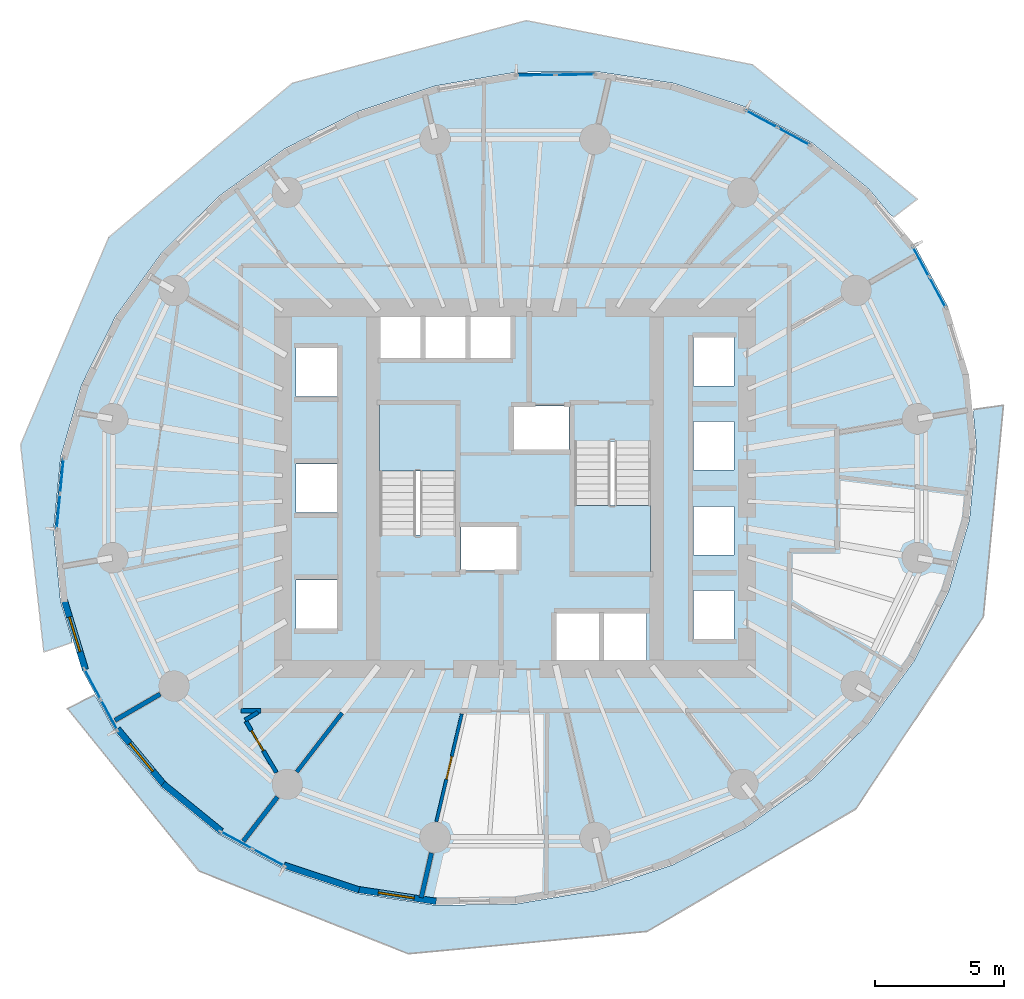
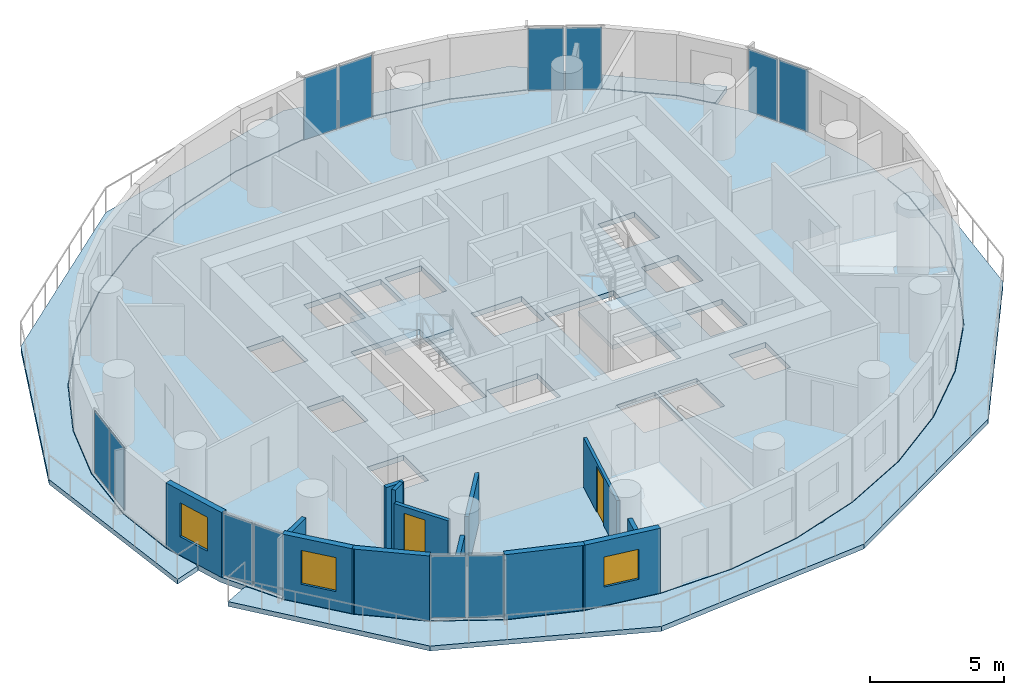
# One storey, part 6 of 14: 13 walls, 12 plates, 5 slabs, 3 windows, 2 doors, 5 openings, 8 elements without a shape of their own.
"""IFC4 building model written with IfcOpenShell, lengths in metres."""

from ifc_helpers import new_model, si_unit, direction, frame, frame_2d, origin, origin_2d, place, context, subcontext, project, spatial, polyline, rectangle, outline, extrude, material, layer, layer_set, type_object, element, fill, aggregate, save


model = new_model("IFC4")

# Units and contexts
model_context = context("Model", 3, precision=1e-05, world=origin(), true_north=direction((0.0, 1.0)))
body_context = subcontext(model_context, "Body", "Model", "MODEL_VIEW")
ifc_project = project(units=[si_unit("LENGTHUNIT", "METRE"), si_unit("AREAUNIT", "SQUARE_METRE"), si_unit("VOLUMEUNIT", "CUBIC_METRE"), si_unit("PLANEANGLEUNIT", "RADIAN"), si_unit("MASSUNIT", "GRAM", prefix="KILO")], contexts=[model_context])

# Site, building, storey
site_placement = place(None, origin())
site = spatial("IfcSite", under=ifc_project, at=site_placement, CompositionType="ELEMENT")
building_placement = place(site_placement, origin())
building = spatial("IfcBuilding", under=site, at=building_placement, Name="Veldorim Arch Residences", CompositionType="ELEMENT")
storey_placement = place(building_placement, frame((0.0, 0.0, 99.679931640625)))
storey = spatial("IfcBuildingStorey", under=building, at=storey_placement, Name="L29", CompositionType="ELEMENT", Elevation=99.679931640625)

# Slabs
ifc_material_1 = material(Name="Concrete C40/50", Category="concrete")
ifc_layer_1 = layer(ifc_material_1, 0.219970703125, Name="Planted Crescent Cantilever Balcony Slab 220")
ifc_layer_set_1 = layer_set([ifc_layer_1], Name="Concrete C40/50")
slab_type_1 = type_object("IfcSlabType", Name="Planted Crescent Cantilever Balcony Slab 220", PredefinedType="FLOOR", material=ifc_layer_set_1)
slab_1_placement = place(storey_placement, frame((0.0, 0.0, -0.219970703125)))
element("IfcSlab", 1, at=slab_1_placement, inside=storey, type_object=slab_type_1, Name="L29 planted crescent balcony slab A", PredefinedType="FLOOR", context=body_context, shape_type="SweptSolid", body=[
    extrude(outline(polyline([(46.537841796875, 34.610595703125), (45.7138671875, 35.598388671875), (43.5107421875, 37.387451171875), (40.9580078125, 38.76953125), (38.133056640625, 39.702880859375), (35.1220703125, 40.158935546875), (32.016357421875, 40.124267578125), (28.910400390625, 39.599609375), (25.898193359375, 38.601318359375), (24.527099609375, 37.902099609375), (24.356689453125, 37.854248046875), (24.228515625, 37.749755859375), (23.0712890625, 37.15966796875), (20.515625, 35.318115234375), (18.30859375, 33.132568359375), (16.517578125, 30.669677734375), (15.19677734375, 28.00390625), (14.38623046875, 25.21630859375), (14.111328125, 22.3916015625), (14.3798828125, 19.615478515625), (14.813232421875, 18.19189453125), (14.8212890625, 18.022216796875), (13.731689453125, 17.654296875), (12.83056640625, 25.695556640625), (16.251708984375, 33.730712890625), (23.368408203125, 39.70703125), (32.434326171875, 42.131591796875), (41.20703125, 40.41943359375), (47.590576171875, 35.210205078125), (46.677978515625, 34.51025390625), (46.537841796875, 34.610595703125)])), origin(), (0.0, 0.0, 1.0), 0.219970703125),
])
slab_2_placement = place(storey_placement, frame((0.0, 0.0, -0.219970703125)))
element("IfcSlab", 2, at=slab_2_placement, inside=storey, type_object=slab_type_1, Name="L29 planted crescent balcony slab B", PredefinedType="FLOOR", context=body_context, shape_type="SweptSolid", body=[
    extrude(outline(polyline([(15.791015625, 15.851806640625), (16.49951171875, 14.54345703125), (18.2861328125, 12.401611328125), (20.4892578125, 10.612548828125), (23.0419921875, 9.23046875), (25.866943359375, 8.297119140625), (28.8779296875, 7.841064453125), (31.983642578125, 7.875732421875), (35.089599609375, 8.400390625), (36.32275390625, 8.80908203125), (36.487060546875, 8.826904296875), (36.640869140625, 8.914306640625), (38.101806640625, 9.398681640625), (40.9287109375, 10.84033203125), (43.484375, 12.681884765625), (45.69140625, 14.867431640625), (47.482421875, 17.330322265625), (48.80322265625, 19.99609375), (49.61376953125, 22.78369140625), (49.888671875, 25.6083984375), (49.764892578125, 26.888427734375), (49.7919921875, 27.058837890625), (50.93115234375, 27.21630859375), (50.15234375, 19.013916015625), (45.20654296875, 11.56884765625), (37.111083984375, 6.821533203125), (27.858154296875, 5.95703125), (19.737060546875, 9.168701171875), (14.648681640625, 15.460205078125), (15.676025390625, 15.97705078125), (15.791015625, 15.851806640625)])), origin(), (0.0, 0.0, 1.0), 0.219970703125),
])

# Stair, slab
ifc_material_2 = material(Name="Concrete C40/50", Category="concrete")
stair_type = type_object("IfcStairType", Name="Reinforced Concrete Dogleg Exit Staircase", PredefinedType="HALF_TURN_STAIR", material=ifc_material_2)
stair_1_placement = place(storey_placement, origin())
stair_1 = element("IfcStair", 3, at=stair_1_placement, inside=storey, type_object=stair_type, Name="L29 Exit Staircase ST-1", PredefinedType="HALF_TURN_STAIR")
ifc_material_3 = material(Name="Concrete C40/50", Category="concrete")
ifc_layer_2 = layer(ifc_material_3, 0.199951171875, Name="Reinforced Concrete Stair Landing 200")
ifc_layer_set_2 = layer_set([ifc_layer_2], Name="Concrete C40/50")
slab_type_2 = type_object("IfcSlabType", Name="Reinforced Concrete Stair Landing 200", PredefinedType="LANDING", material=ifc_layer_set_2)
slab_3_placement = place(storey_placement, frame((0.0, 0.0, 1.400146484375)))
slab_3 = element("IfcSlab", 4, at=slab_3_placement, type_object=slab_type_2, Name="ST-1 landing 1", PredefinedType="LANDING", context=body_context, shape_type="SweptSolid", body=[
    extrude(outline(polyline([(29.7099609375, 24.669921875), (29.7099609375, 27.25), (26.75, 27.25), (26.75, 24.669921875), (29.7099609375, 24.669921875)])), origin(), (0.0, 0.0, 1.0), 0.199951171875),
])
aggregate(stair_1, [slab_3])

stair_2_placement = place(storey_placement, origin())
stair_2 = element("IfcStair", 5, at=stair_2_placement, inside=storey, type_object=stair_type, Name="L29 Exit Staircase ST-2", PredefinedType="HALF_TURN_STAIR")
slab_4_placement = place(storey_placement, frame((0.0, 0.0, 1.400146484375)))
slab_4 = element("IfcSlab", 6, at=slab_4_placement, type_object=slab_type_2, Name="ST-2 landing 1", PredefinedType="LANDING", context=body_context, shape_type="SweptSolid", body=[
    extrude(outline(polyline([(34.2900390625, 23.330078125), (34.2900390625, 20.75), (37.25, 20.75), (37.25, 23.330078125), (34.2900390625, 23.330078125)])), origin(), (0.0, 0.0, 1.0), 0.199951171875),
])
aggregate(stair_2, [slab_4])

# Slab
ifc_material_4 = material(Name="Concrete C40/50", Category="concrete")
ifc_layer_3 = layer(ifc_material_4, 0.239990234375, Name="Typical Residential Floor Slab 240")
ifc_layer_set_3 = layer_set([ifc_layer_3], Name="Concrete C40/50")
slab_type_3 = type_object("IfcSlabType", Name="Typical Residential Floor Slab 240", PredefinedType="FLOOR", material=ifc_layer_set_3)
slab_5_placement = place(storey_placement, frame((0.0, 0.0, -0.239990234375)))
element("IfcSlab", 7, at=slab_5_placement, inside=storey, type_object=slab_type_3, Name="L29 tower structural floor slab", PredefinedType="FLOOR", context=body_context, shape_type="SweptSolid", body=[
    extrude(outline(polyline([(48.79248046875, 31.017578125), (47.4794921875, 33.4423828125), (45.6962890625, 35.58056640625), (43.49658203125, 37.36669921875), (40.947998046875, 38.74658203125), (38.127197265625, 39.678466796875), (35.120361328125, 40.1337890625), (32.0185546875, 40.09912109375), (28.916259765625, 39.575439453125), (25.90771484375, 38.578125), (23.084228515625, 37.13818359375), (20.53173828125, 35.298828125), (18.32763671875, 33.1162109375), (16.5390625, 30.65673828125), (15.22021484375, 27.994873046875), (14.410888671875, 25.211669921875), (14.136474609375, 22.3916015625), (14.404541015625, 19.62060546875), (15.20751953125, 16.982421875), (16.5205078125, 14.5576171875), (18.3037109375, 12.41943359375), (20.50341796875, 10.63330078125), (23.052001953125, 9.25341796875), (25.872802734375, 8.321533203125), (28.879638671875, 7.8662109375), (31.9814453125, 7.90087890625), (35.083740234375, 8.424560546875), (38.09228515625, 9.421875), (40.915771484375, 10.86181640625), (43.46826171875, 12.701171875), (45.67236328125, 14.8837890625), (47.4609375, 17.34326171875), (48.77978515625, 20.005126953125), (49.589111328125, 22.788330078125), (49.863525390625, 25.6083984375), (49.595458984375, 28.37939453125), (48.79248046875, 31.017578125)]), holes=[polyline([(23.510009765625, 20.43994140625), (25.090087890625, 20.43994140625), (25.090087890625, 18.56005859375), (23.510009765625, 18.56005859375), (23.510009765625, 20.43994140625)]), polyline([(29.909912109375, 22.544921875), (32.090087890625, 22.544921875), (32.090087890625, 20.81494140625), (29.909912109375, 20.81494140625), (29.909912109375, 22.544921875)]), polyline([(23.510009765625, 24.93994140625), (25.090087890625, 24.93994140625), (25.090087890625, 23.06005859375), (23.510009765625, 23.06005859375), (23.510009765625, 24.93994140625)]), polyline([(26.75, 27.25), (29.7099609375, 27.25), (29.7099609375, 22.195068359375), (26.75, 22.195068359375), (26.75, 27.25)]), polyline([(23.510009765625, 29.43994140625), (25.090087890625, 29.43994140625), (25.090087890625, 27.56005859375), (23.510009765625, 27.56005859375), (23.510009765625, 29.43994140625)]), polyline([(26.760009765625, 30.7900390625), (28.340087890625, 30.7900390625), (28.340087890625, 28.909912109375), (26.760009765625, 28.909912109375), (26.760009765625, 30.7900390625)]), polyline([(28.510009765625, 30.7900390625), (30.090087890625, 30.7900390625), (30.090087890625, 28.909912109375), (28.510009765625, 28.909912109375), (28.510009765625, 30.7900390625)]), polyline([(30.260009765625, 30.7900390625), (31.840087890625, 30.7900390625), (31.840087890625, 28.909912109375), (30.260009765625, 28.909912109375), (30.260009765625, 30.7900390625)]), polyline([(33.610107421875, 19.2900390625), (35.2900390625, 19.2900390625), (35.2900390625, 17.2099609375), (33.610107421875, 17.2099609375), (33.610107421875, 19.2900390625)]), polyline([(35.409912109375, 19.2900390625), (37.090087890625, 19.2900390625), (37.090087890625, 17.2099609375), (35.409912109375, 17.2099609375), (35.409912109375, 19.2900390625)]), polyline([(38.909912109375, 20.0400390625), (40.489990234375, 20.0400390625), (40.489990234375, 18.159912109375), (38.909912109375, 18.159912109375), (38.909912109375, 20.0400390625)]), polyline([(38.909912109375, 23.2900390625), (40.489990234375, 23.2900390625), (40.489990234375, 21.409912109375), (38.909912109375, 21.409912109375), (38.909912109375, 23.2900390625)]), polyline([(34.2900390625, 25.804931640625), (37.25, 25.804931640625), (37.25, 20.75), (34.2900390625, 20.75), (34.2900390625, 25.804931640625)]), polyline([(38.909912109375, 26.590087890625), (40.489990234375, 26.590087890625), (40.489990234375, 24.7099609375), (38.909912109375, 24.7099609375), (38.909912109375, 26.590087890625)]), polyline([(31.909912109375, 27.18505859375), (34.090087890625, 27.18505859375), (34.090087890625, 25.455078125), (31.909912109375, 25.455078125), (31.909912109375, 27.18505859375)]), polyline([(38.909912109375, 29.840087890625), (40.489990234375, 29.840087890625), (40.489990234375, 27.9599609375), (38.909912109375, 27.9599609375), (38.909912109375, 29.840087890625)])]), origin(), (0.0, 0.0, 1.0), 0.239990234375),
])

# Curtain wall, plates
ifc_material_5 = material(Name="Aluminium", Category="aluminium")
curtain_wall_type = type_object("IfcCurtainWallType", Name="Zone 2 Solar-Control Unitised Curtain Wall", PredefinedType="NOTDEFINED", material=ifc_material_5)
curtain_wall_1_placement = place(storey_placement, origin())
curtain_wall_1 = element("IfcCurtainWall", 8, at=curtain_wall_1_placement, inside=storey, type_object=curtain_wall_type, Name="L29 unitised curtain wall bay 01", PredefinedType="NOTDEFINED")
ifc_material_6 = material(Name="Laminated Low-E Glass", Category="glass")
ifc_layer_4 = layer(ifc_material_6, 0.02587890625, Name="Zone 2 Solar-Control Unitised Curtain Wall Glazing Panel 26")
ifc_layer_set_4 = layer_set([ifc_layer_4], Name="Laminated Low-E Glass")
plate_type = type_object("IfcPlateType", Name="Zone 2 Solar-Control Unitised Curtain Wall Glazing Panel 26", PredefinedType="CURTAIN_PANEL", material=ifc_layer_set_4)
plate_1_placement = place(storey_placement, frame((47.736572265625, 32.779052734375, 0.06494140625), z_axis=(0.0, 0.0, 1.0), x_axis=(0.4761464591, -0.87936599291, 0.0)))
plate_1 = element("IfcPlate", 9, at=plate_1_placement, type_object=plate_type, Name="CW-Z2 panel 1.1", PredefinedType="CURTAIN_PANEL", context=body_context, shape_type="SweptSolid", body=[
    extrude(rectangle(XDim=1.28125, YDim=0.02587890625, at=origin_2d()), origin(), (0.0, 0.0, 1.0), 2.830078125),
])
plate_2_placement = place(storey_placement, frame((48.37744140625, 31.59521484375, 0.06494140625), z_axis=(0.0, 0.0, 1.0), x_axis=(0.4761464591, -0.87936599291, 0.0)))
plate_2 = element("IfcPlate", 10, at=plate_2_placement, type_object=plate_type, Name="CW-Z2 panel 2.1", PredefinedType="CURTAIN_PANEL", context=body_context, shape_type="SweptSolid", body=[
    extrude(rectangle(XDim=1.28125, YDim=0.02587890625, at=origin_2d()), origin(), (0.0, 0.0, 1.0), 2.830078125),
])
aggregate(curtain_wall_1, [plate_1, plate_2])

curtain_wall_2_placement = place(storey_placement, origin())
curtain_wall_2 = element("IfcCurtainWall", 11, at=curtain_wall_2_placement, inside=storey, type_object=curtain_wall_type, Name="L29 unitised curtain wall bay 04", PredefinedType="NOTDEFINED")
plate_3_placement = place(storey_placement, frame((41.556640625, 38.314697265625, 0.06494140625), z_axis=(0.0, 0.0, 1.0), x_axis=(0.879393091534, -0.476096408895, 0.0)))
plate_3 = element("IfcPlate", 12, at=plate_3_placement, type_object=plate_type, Name="CW-Z2 panel 1.1", PredefinedType="CURTAIN_PANEL", context=body_context, shape_type="SweptSolid", body=[
    extrude(rectangle(XDim=1.3515625, YDim=0.02587890625, at=origin_2d()), origin(), (0.0, 0.0, 1.0), 2.830078125),
])
plate_4_placement = place(storey_placement, frame((42.802490234375, 37.64013671875, 0.06494140625), z_axis=(0.0, 0.0, 1.0), x_axis=(0.879393091534, -0.476096408895, 0.0)))
plate_4 = element("IfcPlate", 13, at=plate_4_placement, type_object=plate_type, Name="CW-Z2 panel 2.1", PredefinedType="CURTAIN_PANEL", context=body_context, shape_type="SweptSolid", body=[
    extrude(rectangle(XDim=1.3515625, YDim=0.02587890625, at=origin_2d()), origin(), (0.0, 0.0, 1.0), 2.830078125),
])
aggregate(curtain_wall_2, [plate_3, plate_4])

curtain_wall_3_placement = place(storey_placement, origin())
curtain_wall_3 = element("IfcCurtainWall", 14, at=curtain_wall_3_placement, inside=storey, type_object=curtain_wall_type, Name="L29 unitised curtain wall bay 07", PredefinedType="NOTDEFINED")
plate_5_placement = place(storey_placement, frame((32.811279296875, 40.01806640625, 0.06494140625), z_axis=(0.0, 0.0, 1.0), x_axis=(0.999937426765, 0.01118671332, 0.0)))
plate_5 = element("IfcPlate", 15, at=plate_5_placement, type_object=plate_type, Name="CW-Z2 panel 1.1", PredefinedType="CURTAIN_PANEL", context=body_context, shape_type="SweptSolid", body=[
    extrude(rectangle(XDim=1.453369140625, YDim=0.02587890625, at=origin_2d()), origin(), (0.0, 0.0, 1.0), 2.830078125),
])
plate_6_placement = place(storey_placement, frame((34.32958984375, 40.03515625, 0.06494140625), z_axis=(0.0, 0.0, 1.0), x_axis=(0.999937426765, 0.01118671332, 0.0)))
plate_6 = element("IfcPlate", 16, at=plate_6_placement, type_object=plate_type, Name="CW-Z2 panel 2.1", PredefinedType="CURTAIN_PANEL", context=body_context, shape_type="SweptSolid", body=[
    extrude(rectangle(XDim=1.453369140625, YDim=0.02587890625, at=origin_2d()), origin(), (0.0, 0.0, 1.0), 2.830078125),
])
aggregate(curtain_wall_3, [plate_5, plate_6])

curtain_wall_4_placement = place(storey_placement, origin())
curtain_wall_4 = element("IfcCurtainWall", 17, at=curtain_wall_4_placement, inside=storey, type_object=curtain_wall_type, Name="L29 unitised curtain wall bay 16", PredefinedType="NOTDEFINED")
plate_7_placement = place(storey_placement, frame((14.296142578125, 23.10400390625, 0.06494140625), z_axis=(0.0, 0.0, 1.0), x_axis=(0.096914077387, 0.995292751709, 0.0)))
plate_7 = element("IfcPlate", 18, at=plate_7_placement, type_object=plate_type, Name="CW-Z2 panel 1.1", PredefinedType="CURTAIN_PANEL", context=body_context, shape_type="SweptSolid", body=[
    extrude(rectangle(XDim=1.3193359375, YDim=0.02587890625, at=origin_2d()), origin(), (0.0, 0.0, 1.0), 2.830078125),
])
plate_8_placement = place(storey_placement, frame((14.430419921875, 24.481689453125, 0.06494140625), z_axis=(0.0, 0.0, 1.0), x_axis=(0.096914077387, 0.995292751709, 0.0)))
plate_8 = element("IfcPlate", 19, at=plate_8_placement, type_object=plate_type, Name="CW-Z2 panel 2.1", PredefinedType="CURTAIN_PANEL", context=body_context, shape_type="SweptSolid", body=[
    extrude(rectangle(XDim=1.3193359375, YDim=0.02587890625, at=origin_2d()), origin(), (0.0, 0.0, 1.0), 2.830078125),
])
aggregate(curtain_wall_4, [plate_7, plate_8])

curtain_wall_5_placement = place(storey_placement, origin())
curtain_wall_5 = element("IfcCurtainWall", 20, at=curtain_wall_5_placement, inside=storey, type_object=curtain_wall_type, Name="L29 unitised curtain wall bay 19", PredefinedType="NOTDEFINED")
plate_9_placement = place(storey_placement, frame((16.263427734375, 15.220947265625, 0.06494140625), z_axis=(0.0, 0.0, 1.0), x_axis=(-0.4761464591, 0.87936599291, 0.0)))
plate_9 = element("IfcPlate", 21, at=plate_9_placement, type_object=plate_type, Name="CW-Z2 panel 1.1", PredefinedType="CURTAIN_PANEL", context=body_context, shape_type="SweptSolid", body=[
    extrude(rectangle(XDim=1.28125, YDim=0.02587890625, at=origin_2d()), origin(), (0.0, 0.0, 1.0), 2.830078125),
])
plate_10_placement = place(storey_placement, frame((15.62255859375, 16.40478515625, 0.06494140625), z_axis=(0.0, 0.0, 1.0), x_axis=(-0.4761464591, 0.87936599291, 0.0)))
plate_10 = element("IfcPlate", 22, at=plate_10_placement, type_object=plate_type, Name="CW-Z2 panel 2.1", PredefinedType="CURTAIN_PANEL", context=body_context, shape_type="SweptSolid", body=[
    extrude(rectangle(XDim=1.28125, YDim=0.02587890625, at=origin_2d()), origin(), (0.0, 0.0, 1.0), 2.830078125),
])
aggregate(curtain_wall_5, [plate_9, plate_10])

curtain_wall_6_placement = place(storey_placement, origin())
curtain_wall_6 = element("IfcCurtainWall", 23, at=curtain_wall_6_placement, inside=storey, type_object=curtain_wall_type, Name="L29 unitised curtain wall bay 22", PredefinedType="NOTDEFINED")
plate_11_placement = place(storey_placement, frame((22.443359375, 9.685302734375, 0.06494140625), z_axis=(0.0, 0.0, 1.0), x_axis=(-0.879393091534, 0.476096408895, 0.0)))
plate_11 = element("IfcPlate", 24, at=plate_11_placement, type_object=plate_type, Name="CW-Z2 panel 1.1", PredefinedType="CURTAIN_PANEL", context=body_context, shape_type="SweptSolid", body=[
    extrude(rectangle(XDim=1.3515625, YDim=0.02587890625, at=origin_2d()), origin(), (0.0, 0.0, 1.0), 2.830078125),
])
plate_12_placement = place(storey_placement, frame((21.197509765625, 10.35986328125, 0.06494140625), z_axis=(0.0, 0.0, 1.0), x_axis=(-0.879393091534, 0.476096408895, 0.0)))
plate_12 = element("IfcPlate", 25, at=plate_12_placement, type_object=plate_type, Name="CW-Z2 panel 2.1", PredefinedType="CURTAIN_PANEL", context=body_context, shape_type="SweptSolid", body=[
    extrude(rectangle(XDim=1.3515625, YDim=0.02587890625, at=origin_2d()), origin(), (0.0, 0.0, 1.0), 2.830078125),
])
aggregate(curtain_wall_6, [plate_11, plate_12])

# Wall, opening, door
ifc_material_7 = material(Name="Acoustic Gypsum Board", Category="gypsum")
ifc_layer_5 = layer(ifc_material_7, 0.125, Name="Acoustic Stud Room Partition Wall 125")
ifc_layer_set_5 = layer_set([ifc_layer_5], Name="Acoustic Gypsum Board")
wall_type_1 = type_object("IfcWallType", Name="Acoustic Stud Room Partition Wall 125", PredefinedType="PARTITIONING", material=ifc_layer_set_5)
wall_1_placement = place(storey_placement, frame((28.951171875, 11.0732421875, 0.0), z_axis=(0.0, 0.0, 1.0), x_axis=(0.229552612231, 0.973296254086, 0.0)))
wall_1 = element("IfcWall", 26, at=wall_1_placement, inside=storey, type_object=wall_type_1, Name="L29 interior wall WL-RES-L29-014", PredefinedType="PARTITIONING", context=body_context, shape_type="SweptSolid", body=[
    extrude(rectangle(XDim=4.294677734375, YDim=0.125, at=frame_2d((2.1474609375, 0.0))), origin(), (0.0, 0.0, 1.0), 2.2607421875),
])
opening_1_placement = place(wall_1_placement, frame((1.697509765625, 0.0, 0.0)))
opening_1 = element("IfcOpeningElement", 27, at=opening_1_placement, cuts=wall_1, Name="Opening DR-INT", PredefinedType="OPENING", context=body_context, shape_type="SweptSolid", body=[
    extrude(rectangle(XDim=0.89990234375, YDim=2.10009765625, at=frame_2d((0.449951171875, 1.050048828125))), frame((0.0, 0.072509765625, 0.0), z_axis=(0.0, -1.0, 0.0), x_axis=(1.0, 0.0, 0.0)), (0.0, 0.0, 1.0), 0.14501953125),
])
ifc_material_8 = material(Name="Engineered Timber", Category="wood")
door_type_1 = type_object("IfcDoorType", Name="Apartment Internal Room Timber Door 900x2100", OperationType="SINGLE_SWING_LEFT", PredefinedType="DOOR", material=ifc_material_8)
door_1_placement = place(opening_1_placement, origin())
door_1 = element("IfcDoor", 28, at=door_1_placement, inside=storey, type_object=door_type_1, Name="L29 interior door DR-RES-L29-003", OperationType="SINGLE_SWING_LEFT", OverallHeight=2.10009765625, OverallWidth=0.89990234375, PredefinedType="DOOR", context=body_context, shape_type="SweptSolid", body=[
    extrude(rectangle(XDim=0.89990234375, YDim=2.10009765625, at=frame_2d((0.449951171875, 1.050048828125))), frame((0.0, 0.02490234375, 0.0), z_axis=(0.0, -1.0, 0.0), x_axis=(1.0, 0.0, 0.0)), (0.0, 0.0, 1.0), 0.050048828125),
])
fill(opening_1, door_1)

# Walls
ifc_material_9 = material(Name="Lightweight Masonry Block & Gypsum", Category="masonry")
ifc_layer_6 = layer(ifc_material_9, 0.179931640625, Name="Compartment & Corridor Fire-Rated Party Wall 180")
ifc_layer_set_6 = layer_set([ifc_layer_6], Name="Lightweight Masonry Block & Gypsum")
wall_type_2 = type_object("IfcWallType", Name="Compartment & Corridor Fire-Rated Party Wall 180", PredefinedType="PARTITIONING", material=ifc_layer_set_6)
wall_2_placement = place(storey_placement, frame((18.243408203125, 16.022216796875, 0.0), z_axis=(0.0, 0.0, 1.0), x_axis=(-0.865025978628, -0.501727073516, 0.0)))
element("IfcWall", 29, at=wall_2_placement, inside=storey, type_object=wall_type_2, Name="L29 interior wall WL-PIER-L29-10", PredefinedType="PARTITIONING", context=body_context, shape_type="SweptSolid", body=[
    extrude(rectangle(XDim=2.033447265625, YDim=0.179931640625, at=frame_2d((1.0166015625, 0.0))), origin(), (0.0, 0.0, 1.0), 2.2607421875),
])
wall_3_placement = place(storey_placement, frame((22.7880859375, 12.034423828125, 0.0), z_axis=(0.0, 0.0, 1.0), x_axis=(-0.610026423006, -0.792381071981, 0.0)))
element("IfcWall", 30, at=wall_3_placement, inside=storey, type_object=wall_type_2, Name="L29 interior wall WL-PIER-L29-11", PredefinedType="PARTITIONING", context=body_context, shape_type="SweptSolid", body=[
    extrude(rectangle(XDim=2.16748046875, YDim=0.179931640625, at=frame_2d((1.083740234375, 0.0))), origin(), (0.0, 0.0, 1.0), 2.2607421875),
])
wall_4_placement = place(storey_placement, frame((28.759521484375, 9.86083984375, 0.0), z_axis=(0.0, 0.0, 1.0), x_axis=(-0.223406034992, -0.974725470853, 0.0)))
element("IfcWall", 31, at=wall_4_placement, inside=storey, type_object=wall_type_2, Name="L29 interior wall WL-PIER-L29-12", PredefinedType="PARTITIONING", context=body_context, shape_type="SweptSolid", body=[
    extrude(rectangle(XDim=1.779052734375, YDim=0.179931640625, at=frame_2d((0.8896484375, 0.0))), origin(), (0.0, 0.0, 1.0), 2.2607421875),
])
wall_5_placement = place(storey_placement, frame((22.1435546875, 15.3701171875, 0.0), z_axis=(0.0, 0.0, 1.0), x_axis=(-1.0, 0.0, 0.0)))
element("IfcWall", 32, at=wall_5_placement, inside=storey, type_object=wall_type_2, Name="L29 interior wall WL-RES-L29-011", PredefinedType="PARTITIONING", context=body_context, shape_type="SweptSolid", body=[
    extrude(rectangle(XDim=0.7734375, YDim=0.179931640625, at=frame_2d((0.38671875, 0.0))), origin(), (0.0, 0.0, 1.0), 2.955078125),
])

# Wall, opening, window
ifc_material_10 = material(Name="Precast concrete C40/50", Category="concrete")
ifc_layer_7 = layer(ifc_material_10, 0.25, Name="Tower Terracotta Spandrel & Pier Wall 250")
ifc_layer_set_7 = layer_set([ifc_layer_7], Name="Precast concrete C40/50")
wall_type_3 = type_object("IfcWallType", Name="Tower Terracotta Spandrel & Pier Wall 250", PredefinedType="SOLIDWALL", material=ifc_layer_set_7)
wall_6_placement = place(storey_placement, frame((15.340087890625, 16.9755859375, 0.0), z_axis=(0.0, 0.0, 1.0), x_axis=(-0.291144558409, 0.956679071637, 0.0)))
wall_6 = element("IfcWall", 33, at=wall_6_placement, inside=storey, type_object=wall_type_3, Name="L29 terracotta facade wall 18", PredefinedType="SOLIDWALL", context=body_context, shape_type="SweptSolid", body=[
    extrude(rectangle(XDim=2.84765625, YDim=0.25, at=frame_2d((1.423828125, 0.0))), origin(), (0.0, 0.0, 1.0), 2.9599609375),
])
opening_2_placement = place(wall_6_placement, frame((0.72412109375, 0.0, 0.85009765625)))
opening_2 = element("IfcOpeningElement", 34, at=opening_2_placement, cuts=wall_6, Name="Opening WN-02", PredefinedType="OPENING", context=body_context, shape_type="SweptSolid", body=[
    extrude(rectangle(XDim=1.39990234375, YDim=1.550048828125, at=frame_2d((0.699951171875, 0.77490234375))), frame((0.0, 0.135009765625, 0.0), z_axis=(0.0, -1.0, 0.0), x_axis=(1.0, 0.0, 0.0)), (0.0, 0.0, 1.0), 0.27001953125),
])
ifc_material_11 = material(Name="Laminated Low-E Glass", Category="glass")
window_type = type_object("IfcWindowType", Name="Residential Casement Window 1400x1550", PartitioningType="SINGLE_PANEL", PredefinedType="WINDOW", material=ifc_material_11)
window_1_placement = place(opening_2_placement, origin())
window_1 = element("IfcWindow", 35, at=window_1_placement, inside=storey, type_object=window_type, Name="L29 solar-control facade window 18", OverallHeight=1.550048828125, OverallWidth=1.39990234375, PartitioningType="SINGLE_PANEL", PredefinedType="WINDOW", context=body_context, shape_type="SweptSolid", body=[
    extrude(rectangle(XDim=1.39990234375, YDim=1.550048828125, at=frame_2d((0.699951171875, 0.77490234375))), frame((0.0, 0.030029296875, 0.0), z_axis=(0.0, -1.0, 0.0), x_axis=(1.0, 0.0, 0.0)), (0.0, 0.0, 1.0), 0.06005859375),
])
fill(opening_2, window_1)

wall_7_placement = place(storey_placement, frame((18.428466796875, 12.465087890625, 0.0), z_axis=(0.0, 0.0, 1.0), x_axis=(-0.640518566271, 0.76794268423, 0.0)))
wall_7 = element("IfcWall", 36, at=wall_7_placement, inside=storey, type_object=wall_type_3, Name="L29 terracotta facade wall 20", PredefinedType="SOLIDWALL", context=body_context, shape_type="SweptSolid", body=[
    extrude(rectangle(XDim=2.8740234375, YDim=0.25, at=frame_2d((1.43701171875, 0.0))), origin(), (0.0, 0.0, 1.0), 2.9599609375),
])
opening_3_placement = place(wall_7_placement, frame((0.737060546875, 0.0, 0.85009765625)))
opening_3 = element("IfcOpeningElement", 37, at=opening_3_placement, cuts=wall_7, Name="Opening WN-02", PredefinedType="OPENING", context=body_context, shape_type="SweptSolid", body=[
    extrude(rectangle(XDim=1.39990234375, YDim=1.550048828125, at=frame_2d((0.699951171875, 0.77490234375))), frame((0.0, 0.135009765625, 0.0), z_axis=(0.0, -1.0, 0.0), x_axis=(1.0, 0.0, 0.0)), (0.0, 0.0, 1.0), 0.27001953125),
])
window_2_placement = place(opening_3_placement, origin())
window_2 = element("IfcWindow", 38, at=window_2_placement, inside=storey, type_object=window_type, Name="L29 solar-control facade window 20", OverallHeight=1.550048828125, OverallWidth=1.39990234375, PartitioningType="SINGLE_PANEL", PredefinedType="WINDOW", context=body_context, shape_type="SweptSolid", body=[
    extrude(rectangle(XDim=1.39990234375, YDim=1.550048828125, at=frame_2d((0.699951171875, 0.77490234375))), frame((0.0, 0.030029296875, 0.0), z_axis=(0.0, -1.0, 0.0), x_axis=(1.0, 0.0, 0.0)), (0.0, 0.0, 1.0), 0.06005859375),
])
fill(opening_3, window_2)

# Walls
wall_8_placement = place(storey_placement, frame((20.616943359375, 10.7021484375, 0.0), z_axis=(0.0, 0.0, 1.0), x_axis=(-0.776285131062, 0.630381943976, 0.0)))
element("IfcWall", 39, at=wall_8_placement, inside=storey, type_object=wall_type_3, Name="L29 terracotta facade wall 21", PredefinedType="SOLIDWALL", context=body_context, shape_type="SweptSolid", body=[
    extrude(rectangle(XDim=2.92333984375, YDim=0.25, at=frame_2d((1.461669921875, 0.0))), origin(), (0.0, 0.0, 1.0), 2.9599609375),
])
wall_9_placement = place(storey_placement, frame((25.95458984375, 8.42626953125, 0.0), z_axis=(0.0, 0.0, 1.0), x_axis=(-0.949533409058, 0.313665913166, 0.0)))
element("IfcWall", 40, at=wall_9_placement, inside=storey, type_object=wall_type_3, Name="L29 terracotta facade wall 23", PredefinedType="SOLIDWALL", context=body_context, shape_type="SweptSolid", body=[
    extrude(rectangle(XDim=3.060546875, YDim=0.25, at=frame_2d((1.5302734375, 0.0))), origin(), (0.0, 0.0, 1.0), 2.9599609375),
])

# Wall, opening, window
wall_10_placement = place(storey_placement, frame((28.94287109375, 7.98291015625, 0.0), z_axis=(0.0, 0.0, 1.0), x_axis=(-0.988719703222, 0.149777663425, 0.0)))
wall_10 = element("IfcWall", 41, at=wall_10_placement, inside=storey, type_object=wall_type_3, Name="L29 terracotta facade wall 24", PredefinedType="SOLIDWALL", context=body_context, shape_type="SweptSolid", body=[
    extrude(rectangle(XDim=3.13134765625, YDim=0.25, at=frame_2d((1.565673828125, 0.0))), origin(), (0.0, 0.0, 1.0), 2.9599609375),
])
opening_4_placement = place(wall_10_placement, frame((0.865966796875, 0.0, 0.85009765625)))
opening_4 = element("IfcOpeningElement", 42, at=opening_4_placement, cuts=wall_10, Name="Opening WN-02", PredefinedType="OPENING", context=body_context, shape_type="SweptSolid", body=[
    extrude(rectangle(XDim=1.39990234375, YDim=1.3701171875, at=frame_2d((0.699951171875, 0.68505859375))), frame((0.0, 0.135009765625, 0.0), z_axis=(0.0, -1.0, 0.0), x_axis=(1.0, 0.0, 0.0)), (0.0, 0.0, 1.0), 0.27001953125),
])
window_3_placement = place(opening_4_placement, origin())
window_3 = element("IfcWindow", 43, at=window_3_placement, inside=storey, type_object=window_type, Name="L29 solar-control facade window 24", OverallHeight=1.3701171875, OverallWidth=1.39990234375, PartitioningType="SINGLE_PANEL", PredefinedType="WINDOW", context=body_context, shape_type="SweptSolid", body=[
    extrude(rectangle(XDim=1.39990234375, YDim=1.3701171875, at=frame_2d((0.699951171875, 0.68505859375))), frame((0.0, 0.030029296875, 0.0), z_axis=(0.0, -1.0, 0.0), x_axis=(1.0, 0.0, 0.0)), (0.0, 0.0, 1.0), 0.06005859375),
])
fill(opening_4, window_3)

# Walls
ifc_material_12 = material(Name="Moisture-Resistant Gypsum & Stud", Category="gypsum")
ifc_layer_8 = layer(ifc_material_12, 0.159912109375, Name="Wet-Area Moisture-Resistant Plumbing Wall 160")
ifc_layer_set_8 = layer_set([ifc_layer_8], Name="Moisture-Resistant Gypsum & Stud")
wall_type_4 = type_object("IfcWallType", Name="Wet-Area Moisture-Resistant Plumbing Wall 160", PredefinedType="PLUMBINGWALL", material=ifc_layer_set_8)
wall_11_placement = place(storey_placement, frame((23.5341796875, 13.00341796875, 0.0), z_axis=(0.0, 0.0, 1.0), x_axis=(0.610033601295, 0.792375545617, 0.0)))
element("IfcWall", 44, at=wall_11_placement, inside=storey, type_object=wall_type_4, Name="L29 interior wall WL-RES-L29-016", PredefinedType="PLUMBINGWALL", context=body_context, shape_type="SweptSolid", body=[
    extrude(rectangle(XDim=2.88671875, YDim=0.159912109375, at=frame_2d((1.443359375, 0.0))), origin(), (0.0, 0.0, 1.0), 2.2607421875),
])
wall_12_placement = place(storey_placement, frame((22.03759765625, 15.319091796875, 0.0), z_axis=(0.0, 0.0, 1.0), x_axis=(-0.860054653874, -0.510201913315, 0.0)))
element("IfcWall", 45, at=wall_12_placement, inside=storey, type_object=wall_type_4, Name="L29 interior wall WL-RES-L29-029", PredefinedType="PLUMBINGWALL", context=body_context, shape_type="SweptSolid", body=[
    extrude(rectangle(XDim=0.586181640625, YDim=0.159912109375, at=frame_2d((0.29296875, 0.0))), origin(), (0.0, 0.0, 1.0), 2.955078125),
])

# Wall, opening, door
wall_13_placement = place(storey_placement, frame((21.564208984375, 14.968505859375, 0.0), z_axis=(0.0, 0.0, 1.0), x_axis=(0.51007742589, -0.860128490168, 0.0)))
wall_13 = element("IfcWall", 46, at=wall_13_placement, inside=storey, type_object=wall_type_4, Name="L29 interior wall WL-RES-L29-030", PredefinedType="PLUMBINGWALL", context=body_context, shape_type="SweptSolid", body=[
    extrude(rectangle(XDim=2.311279296875, YDim=0.159912109375, at=frame_2d((1.15576171875, 0.0))), origin(), (0.0, 0.0, 1.0), 2.403564453125),
])
opening_5_placement = place(wall_13_placement, frame((0.42578125, 0.0, 0.0)))
opening_5 = element("IfcOpeningElement", 47, at=opening_5_placement, cuts=wall_13, Name="Opening DR-WC", PredefinedType="OPENING", context=body_context, shape_type="SweptSolid", body=[
    extrude(rectangle(XDim=0.89990234375, YDim=2.10009765625, at=frame_2d((0.449951171875, 1.050048828125))), frame((0.0, 0.08984375, 0.0), z_axis=(0.0, -1.0, 0.0), x_axis=(1.0, 0.0, 0.0)), (0.0, 0.0, 1.0), 0.179931640625),
])
ifc_material_13 = material(Name="Laminate Timber", Category="wood")
door_type_2 = type_object("IfcDoorType", Name="Bathroom & Accessible WC Moisture-Sealed Door 900x2100", OperationType="SINGLE_SWING_LEFT", PredefinedType="DOOR", material=ifc_material_13)
door_2_placement = place(opening_5_placement, origin())
door_2 = element("IfcDoor", 48, at=door_2_placement, inside=storey, type_object=door_type_2, Name="L29 interior door DR-RES-L29-017", OperationType="SINGLE_SWING_LEFT", OverallHeight=2.10009765625, OverallWidth=0.89990234375, PredefinedType="DOOR", context=body_context, shape_type="SweptSolid", body=[
    extrude(rectangle(XDim=0.89990234375, YDim=2.10009765625, at=frame_2d((0.449951171875, 1.050048828125))), frame((0.0, 0.02490234375, 0.0), z_axis=(0.0, -1.0, 0.0), x_axis=(1.0, 0.0, 0.0)), (0.0, 0.0, 1.0), 0.050048828125),
])
fill(opening_5, door_2)

save(model, "model.ifc")
